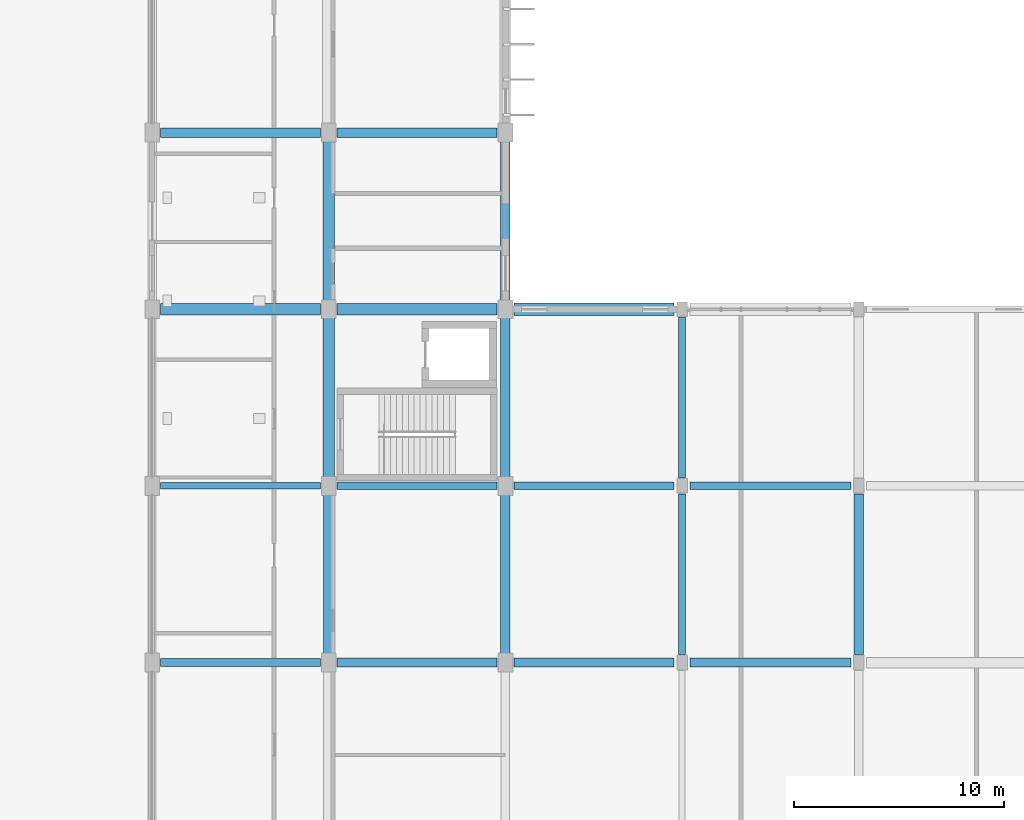
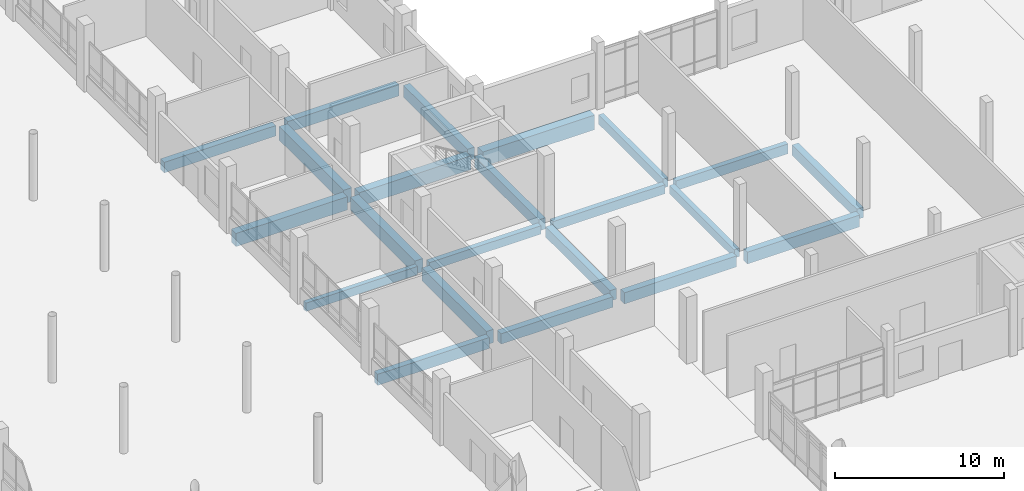
# One storey, part 39 of 95: 22 beams.
"""IFC4 building model written with IfcOpenShell, lengths in metres."""

from ifc_helpers import new_model, si_unit, direction, frame, origin, origin_2d, place, context, subcontext, project, spatial, rectangle, extrude, material, material_profile, profile_set, type_object, element, save


model = new_model("IFC4")

# Units and contexts
model_context = context("Model", 3, precision=1e-05, world=origin(), true_north=direction((0.0, 1.0)))
body_context = subcontext(model_context, "Body", "Model", "MODEL_VIEW")
ifc_project = project(units=[si_unit("LENGTHUNIT", "METRE"), si_unit("AREAUNIT", "SQUARE_METRE"), si_unit("VOLUMEUNIT", "CUBIC_METRE"), si_unit("PLANEANGLEUNIT", "RADIAN"), si_unit("MASSUNIT", "GRAM", prefix="KILO")], contexts=[model_context])

# Site, building, storey
site_placement = place(None, origin())
site = spatial("IfcSite", under=ifc_project, at=site_placement, CompositionType="ELEMENT")
building_placement = place(site_placement, origin())
building = spatial("IfcBuilding", under=site, at=building_placement, Name="Vireocrest Preparatory School", CompositionType="ELEMENT")
storey_placement = place(building_placement, origin())
storey = spatial("IfcBuildingStorey", under=building, at=storey_placement, Name="L00", CompositionType="ELEMENT", Elevation=0.0)

# Beams
ifc_material = material(Name="Concrete 40 MPa", Category="concrete")
ifc_material_profile_1 = material_profile(ifc_material, rectangle(XDim=0.5, YDim=0.949951171875, at=origin_2d()), Name="RC 500x950")
ifc_profile_set_1 = profile_set([ifc_material_profile_1], Name="Concrete 40 MPa")
beam_type_1 = type_object("IfcBeamType", Name="RC Basement Ceiling Girder 500x950", PredefinedType="BEAM", material=ifc_profile_set_1)
beam_1_placement = place(storey_placement, frame((100.800048828125, 35.800048828125, -0.824951171875), z_axis=(0.0, 1.0, 0.0), x_axis=(-1.0, 0.0, 0.0)))
element("IfcBeam", 1, at=beam_1_placement, inside=storey, type_object=beam_type_1, Name="Primary Girder B16 L00-0207", PredefinedType="BEAM", context=body_context, shape_type="SweptSolid", body=[
    extrude(rectangle(XDim=0.5, YDim=0.949951171875, at=origin_2d()), origin(), (0.0, 0.0, 1.0), 7.599853515625),
])
ifc_material_profile_2 = material_profile(ifc_material, rectangle(XDim=0.300048828125, YDim=0.60009765625, at=origin_2d()), Name="RC 300x600")
ifc_profile_set_2 = profile_set([ifc_material_profile_2], Name="Concrete 40 MPa")
beam_type_2 = type_object("IfcBeamType", Name="RC Classroom Beam 300x600", PredefinedType="BEAM", material=ifc_profile_set_2)
beam_2_placement = place(storey_placement, frame((92.800048828125, 43.800048828125, -0.64990234375), z_axis=(1.0, 0.0, 0.0), x_axis=(0.0, 1.0, 0.0)))
element("IfcBeam", 2, at=beam_2_placement, inside=storey, type_object=beam_type_2, Name="Primary Girder B03 L00-0055", PredefinedType="BEAM", context=body_context, shape_type="SweptSolid", body=[
    extrude(rectangle(XDim=0.300048828125, YDim=0.60009765625, at=origin_2d()), origin(), (0.0, 0.0, 1.0), 7.599853515625),
])
ifc_material_profile_3 = material_profile(ifc_material, rectangle(XDim=0.35009765625, YDim=0.60009765625, at=origin_2d()), Name="RC 350x600")
ifc_profile_set_3 = profile_set([ifc_material_profile_3], Name="Concrete 40 MPa")
beam_type_3 = type_object("IfcBeamType", Name="RC Classroom Girder 350x600", PredefinedType="BEAM", material=ifc_profile_set_3)
beam_3_placement = place(storey_placement, frame((101.199951171875, 43.800048828125, -0.64990234375), z_axis=(1.0, 0.0, 0.0), x_axis=(0.0, 1.0, 0.0)))
element("IfcBeam", 3, at=beam_3_placement, inside=storey, type_object=beam_type_3, Name="Primary Girder B04 L00-0056", PredefinedType="BEAM", context=body_context, shape_type="SweptSolid", body=[
    extrude(rectangle(XDim=0.35009765625, YDim=0.60009765625, at=origin_2d()), origin(), (0.0, 0.0, 1.0), 7.60009765625),
])
beam_4_placement = place(storey_placement, frame((117.60009765625, 35.77490234375, -0.64990234375), z_axis=(0.0, 1.0, 0.0), x_axis=(-1.0, 0.0, 0.0)))
element("IfcBeam", 4, at=beam_4_placement, inside=storey, type_object=beam_type_3, Name="Primary Girder B04 L00-0231", PredefinedType="BEAM", context=body_context, shape_type="SweptSolid", body=[
    extrude(rectangle(XDim=0.35009765625, YDim=0.60009765625, at=origin_2d()), origin(), (0.0, 0.0, 1.0), 7.650146484375),
])
ifc_material_profile_4 = material_profile(ifc_material, rectangle(XDim=0.35009765625, YDim=0.64990234375, at=origin_2d()), Name="RC 350x650")
ifc_profile_set_4 = profile_set([ifc_material_profile_4], Name="Concrete 40 MPa")
beam_type_4 = type_object("IfcBeamType", Name="RC Classroom Girder 350x650", PredefinedType="BEAM", material=ifc_profile_set_4)
beam_5_placement = place(storey_placement, frame((109.60009765625, 43.800048828125, -0.675048828125), z_axis=(1.0, 0.0, 0.0), x_axis=(0.0, 1.0, 0.0)))
element("IfcBeam", 5, at=beam_5_placement, inside=storey, type_object=beam_type_4, Name="Primary Girder B05 L00-0057", PredefinedType="BEAM", context=body_context, shape_type="SweptSolid", body=[
    extrude(rectangle(XDim=0.35009765625, YDim=0.64990234375, at=origin_2d()), origin(), (0.0, 0.0, 1.0), 7.625),
])
beam_6_placement = place(storey_placement, frame((117.60009765625, 44.175048828125, -0.675048828125), z_axis=(0.0, 1.0, 0.0), x_axis=(-1.0, 0.0, 0.0)))
element("IfcBeam", 6, at=beam_6_placement, inside=storey, type_object=beam_type_4, Name="Primary Girder B05 L00-0232", PredefinedType="BEAM", context=body_context, shape_type="SweptSolid", body=[
    extrude(rectangle(XDim=0.35009765625, YDim=0.64990234375, at=origin_2d()), origin(), (0.0, 0.0, 1.0), 7.64990234375),
])
ifc_material_profile_5 = material_profile(ifc_material, rectangle(XDim=0.550048828125, YDim=1.0, at=origin_2d()), Name="RC 550x1000")
ifc_profile_set_5 = profile_set([ifc_material_profile_5], Name="Concrete 40 MPa")
beam_type_5 = type_object("IfcBeamType", Name="RC Core Coupling Beam 550x1000", PredefinedType="BEAM", material=ifc_profile_set_5)
beam_7_placement = place(storey_placement, frame((101.199951171875, 52.199951171875, -0.85009765625), z_axis=(1.0, 0.0, 0.0), x_axis=(0.0, 1.0, 0.0)))
element("IfcBeam", 7, at=beam_7_placement, inside=storey, type_object=beam_type_5, Name="Primary Girder B18 L00-0070", PredefinedType="BEAM", context=body_context, shape_type="SweptSolid", body=[
    extrude(rectangle(XDim=0.550048828125, YDim=1.0, at=origin_2d()), origin(), (0.0, 0.0, 1.0), 7.60009765625),
])
beam_8_placement = place(storey_placement, frame((100.800048828125, 52.60009765625, -0.85009765625), z_axis=(0.0, 1.0, 0.0), x_axis=(-1.0, 0.0, 0.0)))
element("IfcBeam", 8, at=beam_8_placement, inside=storey, type_object=beam_type_5, Name="Primary Girder B18 L00-0209", PredefinedType="BEAM", context=body_context, shape_type="SweptSolid", body=[
    extrude(rectangle(XDim=0.550048828125, YDim=1.0, at=origin_2d()), origin(), (0.0, 0.0, 1.0), 7.599853515625),
])
ifc_material_profile_6 = material_profile(ifc_material, rectangle(XDim=0.449951171875, YDim=0.85009765625, at=origin_2d()), Name="RC 450x850")
ifc_profile_set_6 = profile_set([ifc_material_profile_6], Name="Concrete 40 MPa")
beam_type_6 = type_object("IfcBeamType", Name="RC Heavy Floor Girder 450x850", PredefinedType="BEAM", material=ifc_profile_set_6)
beam_9_placement = place(storey_placement, frame((117.97509765625, 35.39990234375, -0.77490234375), z_axis=(1.0, 0.0, 0.0), x_axis=(0.0, 1.0, 0.0)))
element("IfcBeam", 9, at=beam_9_placement, inside=storey, type_object=beam_type_6, Name="Primary Girder B13 L00-0047", PredefinedType="BEAM", context=body_context, shape_type="SweptSolid", body=[
    extrude(rectangle(XDim=0.449951171875, YDim=0.85009765625, at=origin_2d()), origin(), (0.0, 0.0, 1.0), 7.64990234375),
])
beam_10_placement = place(storey_placement, frame((109.199951171875, 52.60009765625, -0.77490234375), z_axis=(0.0, 1.0, 0.0), x_axis=(-1.0, 0.0, 0.0)))
element("IfcBeam", 10, at=beam_10_placement, inside=storey, type_object=beam_type_6, Name="Primary Girder B13 L00-0222", PredefinedType="BEAM", context=body_context, shape_type="SweptSolid", body=[
    extrude(rectangle(XDim=0.449951171875, YDim=0.85009765625, at=origin_2d()), origin(), (0.0, 0.0, 1.0), 7.599853515625),
])
ifc_material_profile_7 = material_profile(ifc_material, rectangle(XDim=0.35009765625, YDim=0.699951171875, at=origin_2d()), Name="RC 350x700")
ifc_profile_set_7 = profile_set([ifc_material_profile_7], Name="Concrete 40 MPa")
beam_type_7 = type_object("IfcBeamType", Name="RC Laboratory Girder 350x700", PredefinedType="BEAM", material=ifc_profile_set_7)
beam_11_placement = place(storey_placement, frame((117.97509765625, 43.800048828125, -0.699951171875), z_axis=(1.0, 0.0, 0.0), x_axis=(0.0, 1.0, 0.0)))
element("IfcBeam", 11, at=beam_11_placement, inside=storey, type_object=beam_type_7, Name="Primary Girder B06 L00-0058", PredefinedType="BEAM", context=body_context, shape_type="SweptSolid", body=[
    extrude(rectangle(XDim=0.35009765625, YDim=0.699951171875, at=origin_2d()), origin(), (0.0, 0.0, 1.0), 7.64990234375),
])
ifc_material_profile_8 = material_profile(ifc_material, rectangle(XDim=0.39990234375, YDim=0.800048828125, at=origin_2d()), Name="RC 400x800")
ifc_profile_set_8 = profile_set([ifc_material_profile_8], Name="Concrete 40 MPa")
beam_type_8 = type_object("IfcBeamType", Name="RC Library Reading Girder 400x800", PredefinedType="BEAM", material=ifc_profile_set_8)
beam_12_placement = place(storey_placement, frame((92.800048828125, 35.39990234375, -0.75), z_axis=(1.0, 0.0, 0.0), x_axis=(0.0, 1.0, 0.0)))
element("IfcBeam", 12, at=beam_12_placement, inside=storey, type_object=beam_type_8, Name="Primary Girder B10 L00-0044", PredefinedType="BEAM", context=body_context, shape_type="SweptSolid", body=[
    extrude(rectangle(XDim=0.39990234375, YDim=0.800048828125, at=origin_2d()), origin(), (0.0, 0.0, 1.0), 7.599853515625),
])
ifc_material_profile_9 = material_profile(ifc_material, rectangle(XDim=0.449951171875, YDim=0.75, at=origin_2d()), Name="RC 450x750")
ifc_profile_set_9 = profile_set([ifc_material_profile_9], Name="Concrete 40 MPa")
beam_type_9 = type_object("IfcBeamType", Name="RC Library Stack Girder 450x750", PredefinedType="BEAM", material=ifc_profile_set_9)
beam_13_placement = place(storey_placement, frame((101.199951171875, 35.39990234375, -0.72509765625), z_axis=(1.0, 0.0, 0.0), x_axis=(0.0, 1.0, 0.0)))
element("IfcBeam", 13, at=beam_13_placement, inside=storey, type_object=beam_type_9, Name="Primary Girder B11 L00-0045", PredefinedType="BEAM", context=body_context, shape_type="SweptSolid", body=[
    extrude(rectangle(XDim=0.449951171875, YDim=0.75, at=origin_2d()), origin(), (0.0, 0.0, 1.0), 7.60009765625),
])
for number, where, z_axis, x_axis, name in (
    (14, (92.800048828125, 60.60009765625, -0.72509765625), (1.0, 0.0, 0.0), (0.0, 1.0, 0.0), "Primary Girder B11 L00-0081"),
    (15, (109.199951171875, 35.800048828125, -0.72509765625), (0.0, 1.0, 0.0), (-1.0, 0.0, 0.0), "Primary Girder B11 L00-0220"),
):
    element("IfcBeam", number, at=place(storey_placement, frame(where, z_axis=z_axis, x_axis=x_axis)), inside=storey, type_object=beam_type_9, Name=name, PredefinedType="BEAM", context=body_context, shape_type="SweptSolid", body=[
        extrude(rectangle(XDim=0.449951171875, YDim=0.75, at=origin_2d()), origin(), (0.0, 0.0, 1.0), 7.599853515625),
    ])
beam_14_placement = place(storey_placement, frame((126.0, 35.77490234375, -0.72509765625), z_axis=(0.0, 1.0, 0.0), x_axis=(-1.0, 0.0, 0.0)))
element("IfcBeam", 16, at=beam_14_placement, inside=storey, type_object=beam_type_9, Name="Primary Girder B11 L00-0238", PredefinedType="BEAM", context=body_context, shape_type="SweptSolid", body=[
    extrude(rectangle(XDim=0.449951171875, YDim=0.75, at=origin_2d()), origin(), (0.0, 0.0, 1.0), 7.650146484375),
])
ifc_material_profile_10 = material_profile(ifc_material, rectangle(XDim=0.449951171875, YDim=0.800048828125, at=origin_2d()), Name="RC 450x800")
ifc_profile_set_10 = profile_set([ifc_material_profile_10], Name="Concrete 40 MPa")
beam_type_10 = type_object("IfcBeamType", Name="RC Library Stack Girder 450x800", PredefinedType="BEAM", material=ifc_profile_set_10)
beam_15_placement = place(storey_placement, frame((109.60009765625, 35.39990234375, -0.75), z_axis=(1.0, 0.0, 0.0), x_axis=(0.0, 1.0, 0.0)))
element("IfcBeam", 17, at=beam_15_placement, inside=storey, type_object=beam_type_10, Name="Primary Girder B12 L00-0046", PredefinedType="BEAM", context=body_context, shape_type="SweptSolid", body=[
    extrude(rectangle(XDim=0.449951171875, YDim=0.800048828125, at=origin_2d()), origin(), (0.0, 0.0, 1.0), 7.625),
])
for number, where, z_axis, x_axis, name in (
    (18, (101.199951171875, 60.60009765625, -0.75), (1.0, 0.0, 0.0), (0.0, 1.0, 0.0), "Primary Girder B12 L00-0082"),
    (19, (109.199951171875, 44.199951171875, -0.75), (0.0, 1.0, 0.0), (-1.0, 0.0, 0.0), "Primary Girder B12 L00-0221"),
):
    element("IfcBeam", number, at=place(storey_placement, frame(where, z_axis=z_axis, x_axis=x_axis)), inside=storey, type_object=beam_type_10, Name=name, PredefinedType="BEAM", context=body_context, shape_type="SweptSolid", body=[
        extrude(rectangle(XDim=0.449951171875, YDim=0.800048828125, at=origin_2d()), origin(), (0.0, 0.0, 1.0), 7.60009765625),
    ])
ifc_material_profile_11 = material_profile(ifc_material, rectangle(XDim=0.550048828125, YDim=0.949951171875, at=origin_2d()), Name="RC 550x950")
ifc_profile_set_11 = profile_set([ifc_material_profile_11], Name="Concrete 40 MPa")
beam_type_11 = type_object("IfcBeamType", Name="RC Setback Edge Girder 550x950", PredefinedType="BEAM", material=ifc_profile_set_11)
beam_16_placement = place(storey_placement, frame((92.800048828125, 52.199951171875, -0.824951171875), z_axis=(1.0, 0.0, 0.0), x_axis=(0.0, 1.0, 0.0)))
element("IfcBeam", 20, at=beam_16_placement, inside=storey, type_object=beam_type_11, Name="Primary Girder B17 L00-0069", PredefinedType="BEAM", context=body_context, shape_type="SweptSolid", body=[
    extrude(rectangle(XDim=0.550048828125, YDim=0.949951171875, at=origin_2d()), origin(), (0.0, 0.0, 1.0), 7.599853515625),
])
beam_17_placement = place(storey_placement, frame((100.800048828125, 44.199951171875, -0.824951171875), z_axis=(0.0, 1.0, 0.0), x_axis=(-1.0, 0.0, 0.0)))
element("IfcBeam", 21, at=beam_17_placement, inside=storey, type_object=beam_type_11, Name="Primary Girder B17 L00-0208", PredefinedType="BEAM", context=body_context, shape_type="SweptSolid", body=[
    extrude(rectangle(XDim=0.550048828125, YDim=0.949951171875, at=origin_2d()), origin(), (0.0, 0.0, 1.0), 7.60009765625),
])
ifc_material_profile_12 = material_profile(ifc_material, rectangle(XDim=0.60009765625, YDim=1.050048828125, at=origin_2d()), Name="RC 600x1050")
ifc_profile_set_12 = profile_set([ifc_material_profile_12], Name="Concrete 40 MPa")
beam_type_12 = type_object("IfcBeamType", Name="RC Transfer Girder 600x1050", PredefinedType="BEAM", material=ifc_profile_set_12)
beam_18_placement = place(storey_placement, frame((109.60009765625, 52.199951171875, -0.875), z_axis=(1.0, 0.0, 0.0), x_axis=(0.0, 1.0, 0.0)))
element("IfcBeam", 22, at=beam_18_placement, inside=storey, type_object=beam_type_12, Name="Primary Girder B19 L00-0071", PredefinedType="BEAM", context=body_context, shape_type="SweptSolid", body=[
    extrude(rectangle(XDim=0.60009765625, YDim=1.050048828125, at=origin_2d()), origin(), (0.0, 0.0, 1.0), 7.625),
])

save(model, "model.ifc")
